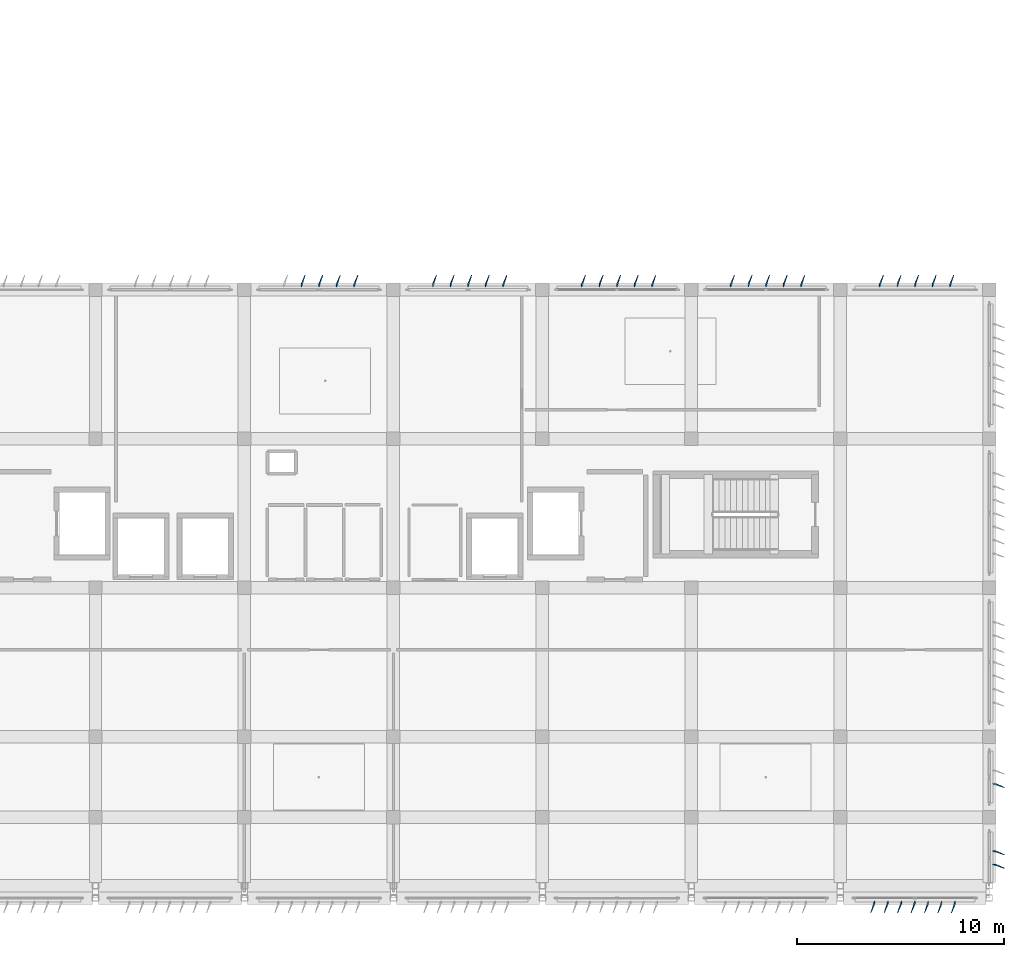
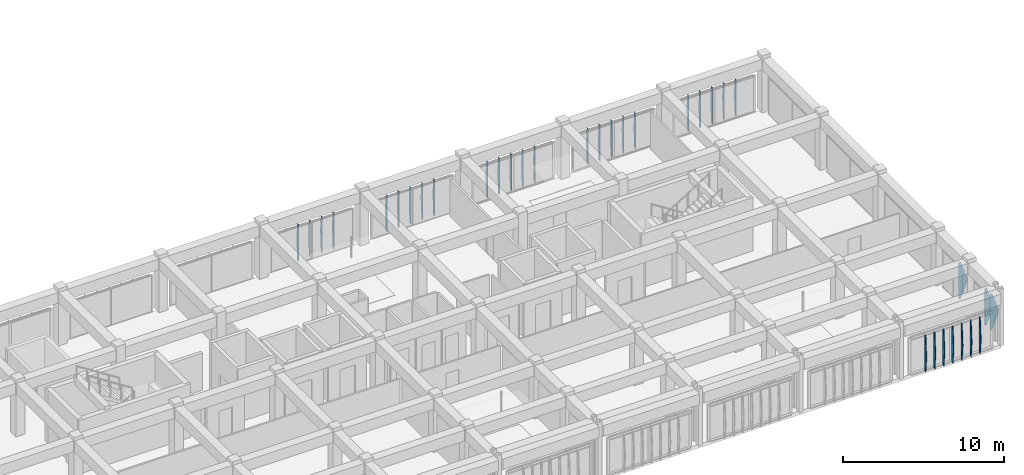
# One storey, part 50 of 53: 34 plates.
"""IFC4 building model written with IfcOpenShell, lengths in metres."""

from ifc_helpers import new_model, si_unit, direction, frame, origin, place, context, subcontext, project, spatial, polygons, material, layer, layer_set, type_object, element, save


model = new_model("IFC4")

# Units and contexts
model_context = context("Model", 3, precision=1e-05, world=origin(), true_north=direction((0.0, 1.0)))
body_context = subcontext(model_context, "Body", "Model", "MODEL_VIEW")
ifc_project = project(units=[si_unit("LENGTHUNIT", "METRE"), si_unit("AREAUNIT", "SQUARE_METRE"), si_unit("VOLUMEUNIT", "CUBIC_METRE"), si_unit("PLANEANGLEUNIT", "RADIAN"), si_unit("MASSUNIT", "GRAM", prefix="KILO")], contexts=[model_context])

# Site, building, storey
site_placement = place(None, origin())
site = spatial("IfcSite", under=ifc_project, at=site_placement, CompositionType="ELEMENT")
building_placement = place(site_placement, origin())
building = spatial("IfcBuilding", under=site, at=building_placement, Name="Kazehaya Institute of Natural Sciences", CompositionType="ELEMENT")
storey_placement = place(building_placement, frame((0.0, 0.0, 33.300048828125)))
storey = spatial("IfcBuildingStorey", under=building, at=storey_placement, Name="L07", CompositionType="ELEMENT", Elevation=33.300048828125)

# Plates
ifc_material = material(Name="Bronze-anodised aluminium alloy A6063S-T5", Category="aluminium")
ifc_layer_1 = layer(ifc_material, 0.02001953125, Name="Bronze-anodised aluminium alloy A6063S-T5", Category="aluminium")
ifc_layer_set_1 = layer_set([ifc_layer_1], Name="Bronze-anodised aluminium alloy A6063S-T5")
plate_type_1 = type_object("IfcPlateType", Name="FIN-DF-E1", PredefinedType="USERDEFINED", material=ifc_layer_set_1)
plate_1_placement = place(storey_placement, origin())
element("IfcPlate", 1, at=plate_1_placement, inside=storey, type_object=plate_type_1, Name="L07 folded diamond-pyramid shading fin FIN-L07-E-0654", ObjectType="SHADING_FIN", PredefinedType="USERDEFINED", context=body_context, shape_type="Tessellation", body=[
    polygons([(119.554931640625, 8.485107421875, 0.0400390625), (119.699951171875, 8.485107421875, 0.0400390625), (120.110107421875, 8.306396484375, 1.409912109375), (119.699951171875, 8.485107421875, 2.780029296875), (119.554931640625, 8.485107421875, 2.780029296875), (119.554931640625, 8.465087890625, 0.0400390625), (119.699951171875, 8.465087890625, 0.0400390625), (120.110107421875, 8.286376953125, 1.409912109375), (119.699951171875, 8.465087890625, 2.780029296875), (119.554931640625, 8.465087890625, 2.780029296875)], [[[1, 5, 4, 3, 2]], [[6, 7, 8, 9, 10]], [[1, 2, 7, 6]], [[2, 3, 8, 7]], [[3, 4, 9, 8]], [[4, 5, 10, 9]], [[5, 1, 6, 10]]], closed=True),
])
plate_2_placement = place(storey_placement, origin())
element("IfcPlate", 2, at=plate_2_placement, inside=storey, type_object=plate_type_1, Name="L07 folded diamond-pyramid shading fin FIN-L07-E-0655", ObjectType="SHADING_FIN", PredefinedType="USERDEFINED", context=body_context, shape_type="Tessellation", body=[
    polygons([(119.554931640625, 7.8349609375, 0.0400390625), (119.699951171875, 7.8349609375, 0.0400390625), (120.110107421875, 7.65625, 1.409912109375), (119.699951171875, 7.8349609375, 2.780029296875), (119.554931640625, 7.8349609375, 2.780029296875), (119.554931640625, 7.81494140625, 0.0400390625), (119.699951171875, 7.81494140625, 0.0400390625), (120.110107421875, 7.63623046875, 1.409912109375), (119.699951171875, 7.81494140625, 2.780029296875), (119.554931640625, 7.81494140625, 2.780029296875)], [[[1, 5, 4, 3, 2]], [[6, 7, 8, 9, 10]], [[1, 2, 7, 6]], [[2, 3, 8, 7]], [[3, 4, 9, 8]], [[4, 5, 10, 9]], [[5, 1, 6, 10]]], closed=True),
])
plate_3_placement = place(storey_placement, origin())
element("IfcPlate", 3, at=plate_3_placement, inside=storey, type_object=plate_type_1, Name="L07 folded diamond-pyramid shading fin FIN-L07-E-0659", ObjectType="SHADING_FIN", PredefinedType="USERDEFINED", context=body_context, shape_type="Tessellation", body=[
    polygons([(119.554931640625, 11.735107421875, 0.0400390625), (119.699951171875, 11.735107421875, 0.0400390625), (120.110107421875, 11.556396484375, 1.409912109375), (119.699951171875, 11.735107421875, 2.780029296875), (119.554931640625, 11.735107421875, 2.780029296875), (119.554931640625, 11.715087890625, 0.0400390625), (119.699951171875, 11.715087890625, 0.0400390625), (120.110107421875, 11.536376953125, 1.409912109375), (119.699951171875, 11.715087890625, 2.780029296875), (119.554931640625, 11.715087890625, 2.780029296875)], [[[1, 5, 4, 3, 2]], [[6, 7, 8, 9, 10]], [[1, 2, 7, 6]], [[2, 3, 8, 7]], [[3, 4, 9, 8]], [[4, 5, 10, 9]], [[5, 1, 6, 10]]], closed=True),
])
ifc_layer_2 = layer(ifc_material, 0.02001953125, Name="Bronze-anodised aluminium alloy A6063S-T5", Category="aluminium")
ifc_layer_set_2 = layer_set([ifc_layer_2], Name="Bronze-anodised aluminium alloy A6063S-T5")
plate_type_2 = type_object("IfcPlateType", Name="FIN-DF-N1", PredefinedType="USERDEFINED", material=ifc_layer_set_2)
plate_4_placement = place(storey_placement, origin())
element("IfcPlate", 4, at=plate_4_placement, inside=storey, type_object=plate_type_2, Name="L07 folded diamond-pyramid shading fin FIN-L07-N-0628", ObjectType="SHADING_FIN", PredefinedType="USERDEFINED", context=body_context, shape_type="Tessellation", body=[
    polygons([(86.139892578125, 35.7548828125, 0.0400390625), (86.139892578125, 35.89990234375, 0.0400390625), (86.318603515625, 36.31005859375, 1.409912109375), (86.139892578125, 35.89990234375, 2.780029296875), (86.139892578125, 35.7548828125, 2.780029296875), (86.159912109375, 35.7548828125, 0.0400390625), (86.159912109375, 35.89990234375, 0.0400390625), (86.338623046875, 36.31005859375, 1.409912109375), (86.159912109375, 35.89990234375, 2.780029296875), (86.159912109375, 35.7548828125, 2.780029296875)], [[[1, 5, 4, 3, 2]], [[6, 7, 8, 9, 10]], [[1, 2, 7, 6]], [[2, 3, 8, 7]], [[3, 4, 9, 8]], [[4, 5, 10, 9]], [[5, 1, 6, 10]]], closed=True),
])
plate_5_placement = place(storey_placement, origin())
element("IfcPlate", 5, at=plate_5_placement, inside=storey, type_object=plate_type_2, Name="L07 folded diamond-pyramid shading fin FIN-L07-N-0629", ObjectType="SHADING_FIN", PredefinedType="USERDEFINED", context=body_context, shape_type="Tessellation", body=[
    polygons([(86.989990234375, 35.7548828125, 0.0400390625), (86.989990234375, 35.89990234375, 0.0400390625), (87.168701171875, 36.31005859375, 1.409912109375), (86.989990234375, 35.89990234375, 2.780029296875), (86.989990234375, 35.7548828125, 2.780029296875), (87.010009765625, 35.7548828125, 0.0400390625), (87.010009765625, 35.89990234375, 0.0400390625), (87.188720703125, 36.31005859375, 1.409912109375), (87.010009765625, 35.89990234375, 2.780029296875), (87.010009765625, 35.7548828125, 2.780029296875)], [[[1, 5, 4, 3, 2]], [[6, 7, 8, 9, 10]], [[1, 2, 7, 6]], [[2, 3, 8, 7]], [[3, 4, 9, 8]], [[4, 5, 10, 9]], [[5, 1, 6, 10]]], closed=True),
])
plate_6_placement = place(storey_placement, origin())
element("IfcPlate", 6, at=plate_6_placement, inside=storey, type_object=plate_type_2, Name="L07 folded diamond-pyramid shading fin FIN-L07-N-0630", ObjectType="SHADING_FIN", PredefinedType="USERDEFINED", context=body_context, shape_type="Tessellation", body=[
    polygons([(87.840087890625, 35.7548828125, 0.0400390625), (87.840087890625, 35.89990234375, 0.0400390625), (88.018798828125, 36.31005859375, 1.409912109375), (87.840087890625, 35.89990234375, 2.780029296875), (87.840087890625, 35.7548828125, 2.780029296875), (87.860107421875, 35.7548828125, 0.0400390625), (87.860107421875, 35.89990234375, 0.0400390625), (88.038818359375, 36.31005859375, 1.409912109375), (87.860107421875, 35.89990234375, 2.780029296875), (87.860107421875, 35.7548828125, 2.780029296875)], [[[1, 5, 4, 3, 2]], [[6, 7, 8, 9, 10]], [[1, 2, 7, 6]], [[2, 3, 8, 7]], [[3, 4, 9, 8]], [[4, 5, 10, 9]], [[5, 1, 6, 10]]], closed=True),
])
plate_7_placement = place(storey_placement, origin())
element("IfcPlate", 7, at=plate_7_placement, inside=storey, type_object=plate_type_2, Name="L07 folded diamond-pyramid shading fin FIN-L07-N-0631", ObjectType="SHADING_FIN", PredefinedType="USERDEFINED", context=body_context, shape_type="Tessellation", body=[
    polygons([(88.68994140625, 35.7548828125, 0.0400390625), (88.68994140625, 35.89990234375, 0.0400390625), (88.86865234375, 36.31005859375, 1.409912109375), (88.68994140625, 35.89990234375, 2.780029296875), (88.68994140625, 35.7548828125, 2.780029296875), (88.7099609375, 35.7548828125, 0.0400390625), (88.7099609375, 35.89990234375, 0.0400390625), (88.888671875, 36.31005859375, 1.409912109375), (88.7099609375, 35.89990234375, 2.780029296875), (88.7099609375, 35.7548828125, 2.780029296875)], [[[1, 5, 4, 3, 2]], [[6, 7, 8, 9, 10]], [[1, 2, 7, 6]], [[2, 3, 8, 7]], [[3, 4, 9, 8]], [[4, 5, 10, 9]], [[5, 1, 6, 10]]], closed=True),
])
plate_8_placement = place(storey_placement, origin())
element("IfcPlate", 8, at=plate_8_placement, inside=storey, type_object=plate_type_2, Name="L07 folded diamond-pyramid shading fin FIN-L07-N-0632", ObjectType="SHADING_FIN", PredefinedType="USERDEFINED", context=body_context, shape_type="Tessellation", body=[
    polygons([(92.489990234375, 35.7548828125, 0.0400390625), (92.489990234375, 35.89990234375, 0.0400390625), (92.668701171875, 36.31005859375, 1.409912109375), (92.489990234375, 35.89990234375, 2.780029296875), (92.489990234375, 35.7548828125, 2.780029296875), (92.510009765625, 35.7548828125, 0.0400390625), (92.510009765625, 35.89990234375, 0.0400390625), (92.688720703125, 36.31005859375, 1.409912109375), (92.510009765625, 35.89990234375, 2.780029296875), (92.510009765625, 35.7548828125, 2.780029296875)], [[[1, 5, 4, 3, 2]], [[6, 7, 8, 9, 10]], [[1, 2, 7, 6]], [[2, 3, 8, 7]], [[3, 4, 9, 8]], [[4, 5, 10, 9]], [[5, 1, 6, 10]]], closed=True),
])
plate_9_placement = place(storey_placement, origin())
element("IfcPlate", 9, at=plate_9_placement, inside=storey, type_object=plate_type_2, Name="L07 folded diamond-pyramid shading fin FIN-L07-N-0633", ObjectType="SHADING_FIN", PredefinedType="USERDEFINED", context=body_context, shape_type="Tessellation", body=[
    polygons([(93.340087890625, 35.7548828125, 0.0400390625), (93.340087890625, 35.89990234375, 0.0400390625), (93.518798828125, 36.31005859375, 1.409912109375), (93.340087890625, 35.89990234375, 2.780029296875), (93.340087890625, 35.7548828125, 2.780029296875), (93.360107421875, 35.7548828125, 0.0400390625), (93.360107421875, 35.89990234375, 0.0400390625), (93.538818359375, 36.31005859375, 1.409912109375), (93.360107421875, 35.89990234375, 2.780029296875), (93.360107421875, 35.7548828125, 2.780029296875)], [[[1, 5, 4, 3, 2]], [[6, 7, 8, 9, 10]], [[1, 2, 7, 6]], [[2, 3, 8, 7]], [[3, 4, 9, 8]], [[4, 5, 10, 9]], [[5, 1, 6, 10]]], closed=True),
])
plate_10_placement = place(storey_placement, origin())
element("IfcPlate", 10, at=plate_10_placement, inside=storey, type_object=plate_type_2, Name="L07 folded diamond-pyramid shading fin FIN-L07-N-0634", ObjectType="SHADING_FIN", PredefinedType="USERDEFINED", context=body_context, shape_type="Tessellation", body=[
    polygons([(94.18994140625, 35.7548828125, 0.0400390625), (94.18994140625, 35.89990234375, 0.0400390625), (94.36865234375, 36.31005859375, 1.409912109375), (94.18994140625, 35.89990234375, 2.780029296875), (94.18994140625, 35.7548828125, 2.780029296875), (94.2099609375, 35.7548828125, 0.0400390625), (94.2099609375, 35.89990234375, 0.0400390625), (94.388671875, 36.31005859375, 1.409912109375), (94.2099609375, 35.89990234375, 2.780029296875), (94.2099609375, 35.7548828125, 2.780029296875)], [[[1, 5, 4, 3, 2]], [[6, 7, 8, 9, 10]], [[1, 2, 7, 6]], [[2, 3, 8, 7]], [[3, 4, 9, 8]], [[4, 5, 10, 9]], [[5, 1, 6, 10]]], closed=True),
])
plate_11_placement = place(storey_placement, origin())
element("IfcPlate", 11, at=plate_11_placement, inside=storey, type_object=plate_type_2, Name="L07 folded diamond-pyramid shading fin FIN-L07-N-0635", ObjectType="SHADING_FIN", PredefinedType="USERDEFINED", context=body_context, shape_type="Tessellation", body=[
    polygons([(95.0400390625, 35.7548828125, 0.0400390625), (95.0400390625, 35.89990234375, 0.0400390625), (95.21875, 36.31005859375, 1.409912109375), (95.0400390625, 35.89990234375, 2.780029296875), (95.0400390625, 35.7548828125, 2.780029296875), (95.06005859375, 35.7548828125, 0.0400390625), (95.06005859375, 35.89990234375, 0.0400390625), (95.23876953125, 36.31005859375, 1.409912109375), (95.06005859375, 35.89990234375, 2.780029296875), (95.06005859375, 35.7548828125, 2.780029296875)], [[[1, 5, 4, 3, 2]], [[6, 7, 8, 9, 10]], [[1, 2, 7, 6]], [[2, 3, 8, 7]], [[3, 4, 9, 8]], [[4, 5, 10, 9]], [[5, 1, 6, 10]]], closed=True),
])
plate_12_placement = place(storey_placement, origin())
element("IfcPlate", 12, at=plate_12_placement, inside=storey, type_object=plate_type_2, Name="L07 folded diamond-pyramid shading fin FIN-L07-N-0636", ObjectType="SHADING_FIN", PredefinedType="USERDEFINED", context=body_context, shape_type="Tessellation", body=[
    polygons([(95.889892578125, 35.7548828125, 0.0400390625), (95.889892578125, 35.89990234375, 0.0400390625), (96.068603515625, 36.31005859375, 1.409912109375), (95.889892578125, 35.89990234375, 2.780029296875), (95.889892578125, 35.7548828125, 2.780029296875), (95.909912109375, 35.7548828125, 0.0400390625), (95.909912109375, 35.89990234375, 0.0400390625), (96.088623046875, 36.31005859375, 1.409912109375), (95.909912109375, 35.89990234375, 2.780029296875), (95.909912109375, 35.7548828125, 2.780029296875)], [[[1, 5, 4, 3, 2]], [[6, 7, 8, 9, 10]], [[1, 2, 7, 6]], [[2, 3, 8, 7]], [[3, 4, 9, 8]], [[4, 5, 10, 9]], [[5, 1, 6, 10]]], closed=True),
])
plate_13_placement = place(storey_placement, origin())
element("IfcPlate", 13, at=plate_13_placement, inside=storey, type_object=plate_type_2, Name="L07 folded diamond-pyramid shading fin FIN-L07-N-0637", ObjectType="SHADING_FIN", PredefinedType="USERDEFINED", context=body_context, shape_type="Tessellation", body=[
    polygons([(99.68994140625, 35.7548828125, 0.0400390625), (99.68994140625, 35.89990234375, 0.0400390625), (99.86865234375, 36.31005859375, 1.409912109375), (99.68994140625, 35.89990234375, 2.780029296875), (99.68994140625, 35.7548828125, 2.780029296875), (99.7099609375, 35.7548828125, 0.0400390625), (99.7099609375, 35.89990234375, 0.0400390625), (99.888671875, 36.31005859375, 1.409912109375), (99.7099609375, 35.89990234375, 2.780029296875), (99.7099609375, 35.7548828125, 2.780029296875)], [[[1, 5, 4, 3, 2]], [[6, 7, 8, 9, 10]], [[1, 2, 7, 6]], [[2, 3, 8, 7]], [[3, 4, 9, 8]], [[4, 5, 10, 9]], [[5, 1, 6, 10]]], closed=True),
])
plate_14_placement = place(storey_placement, origin())
element("IfcPlate", 14, at=plate_14_placement, inside=storey, type_object=plate_type_2, Name="L07 folded diamond-pyramid shading fin FIN-L07-N-0638", ObjectType="SHADING_FIN", PredefinedType="USERDEFINED", context=body_context, shape_type="Tessellation", body=[
    polygons([(100.5400390625, 35.7548828125, 0.0400390625), (100.5400390625, 35.89990234375, 0.0400390625), (100.71875, 36.31005859375, 1.409912109375), (100.5400390625, 35.89990234375, 2.780029296875), (100.5400390625, 35.7548828125, 2.780029296875), (100.56005859375, 35.7548828125, 0.0400390625), (100.56005859375, 35.89990234375, 0.0400390625), (100.73876953125, 36.31005859375, 1.409912109375), (100.56005859375, 35.89990234375, 2.780029296875), (100.56005859375, 35.7548828125, 2.780029296875)], [[[1, 5, 4, 3, 2]], [[6, 7, 8, 9, 10]], [[1, 2, 7, 6]], [[2, 3, 8, 7]], [[3, 4, 9, 8]], [[4, 5, 10, 9]], [[5, 1, 6, 10]]], closed=True),
])
plate_15_placement = place(storey_placement, origin())
element("IfcPlate", 15, at=plate_15_placement, inside=storey, type_object=plate_type_2, Name="L07 folded diamond-pyramid shading fin FIN-L07-N-0639", ObjectType="SHADING_FIN", PredefinedType="USERDEFINED", context=body_context, shape_type="Tessellation", body=[
    polygons([(101.389892578125, 35.7548828125, 0.0400390625), (101.389892578125, 35.89990234375, 0.0400390625), (101.568603515625, 36.31005859375, 1.409912109375), (101.389892578125, 35.89990234375, 2.780029296875), (101.389892578125, 35.7548828125, 2.780029296875), (101.409912109375, 35.7548828125, 0.0400390625), (101.409912109375, 35.89990234375, 0.0400390625), (101.588623046875, 36.31005859375, 1.409912109375), (101.409912109375, 35.89990234375, 2.780029296875), (101.409912109375, 35.7548828125, 2.780029296875)], [[[1, 5, 4, 3, 2]], [[6, 7, 8, 9, 10]], [[1, 2, 7, 6]], [[2, 3, 8, 7]], [[3, 4, 9, 8]], [[4, 5, 10, 9]], [[5, 1, 6, 10]]], closed=True),
])
plate_16_placement = place(storey_placement, origin())
element("IfcPlate", 16, at=plate_16_placement, inside=storey, type_object=plate_type_2, Name="L07 folded diamond-pyramid shading fin FIN-L07-N-0640", ObjectType="SHADING_FIN", PredefinedType="USERDEFINED", context=body_context, shape_type="Tessellation", body=[
    polygons([(102.239990234375, 35.7548828125, 0.0400390625), (102.239990234375, 35.89990234375, 0.0400390625), (102.418701171875, 36.31005859375, 1.409912109375), (102.239990234375, 35.89990234375, 2.780029296875), (102.239990234375, 35.7548828125, 2.780029296875), (102.260009765625, 35.7548828125, 0.0400390625), (102.260009765625, 35.89990234375, 0.0400390625), (102.438720703125, 36.31005859375, 1.409912109375), (102.260009765625, 35.89990234375, 2.780029296875), (102.260009765625, 35.7548828125, 2.780029296875)], [[[1, 5, 4, 3, 2]], [[6, 7, 8, 9, 10]], [[1, 2, 7, 6]], [[2, 3, 8, 7]], [[3, 4, 9, 8]], [[4, 5, 10, 9]], [[5, 1, 6, 10]]], closed=True),
])
plate_17_placement = place(storey_placement, origin())
element("IfcPlate", 17, at=plate_17_placement, inside=storey, type_object=plate_type_2, Name="L07 folded diamond-pyramid shading fin FIN-L07-N-0641", ObjectType="SHADING_FIN", PredefinedType="USERDEFINED", context=body_context, shape_type="Tessellation", body=[
    polygons([(103.090087890625, 35.7548828125, 0.0400390625), (103.090087890625, 35.89990234375, 0.0400390625), (103.268798828125, 36.31005859375, 1.409912109375), (103.090087890625, 35.89990234375, 2.780029296875), (103.090087890625, 35.7548828125, 2.780029296875), (103.110107421875, 35.7548828125, 0.0400390625), (103.110107421875, 35.89990234375, 0.0400390625), (103.288818359375, 36.31005859375, 1.409912109375), (103.110107421875, 35.89990234375, 2.780029296875), (103.110107421875, 35.7548828125, 2.780029296875)], [[[1, 5, 4, 3, 2]], [[6, 7, 8, 9, 10]], [[1, 2, 7, 6]], [[2, 3, 8, 7]], [[3, 4, 9, 8]], [[4, 5, 10, 9]], [[5, 1, 6, 10]]], closed=True),
])
plate_18_placement = place(storey_placement, origin())
element("IfcPlate", 18, at=plate_18_placement, inside=storey, type_object=plate_type_2, Name="L07 folded diamond-pyramid shading fin FIN-L07-N-0642", ObjectType="SHADING_FIN", PredefinedType="USERDEFINED", context=body_context, shape_type="Tessellation", body=[
    polygons([(106.889892578125, 35.7548828125, 0.0400390625), (106.889892578125, 35.89990234375, 0.0400390625), (107.068603515625, 36.31005859375, 1.409912109375), (106.889892578125, 35.89990234375, 2.780029296875), (106.889892578125, 35.7548828125, 2.780029296875), (106.909912109375, 35.7548828125, 0.0400390625), (106.909912109375, 35.89990234375, 0.0400390625), (107.088623046875, 36.31005859375, 1.409912109375), (106.909912109375, 35.89990234375, 2.780029296875), (106.909912109375, 35.7548828125, 2.780029296875)], [[[1, 5, 4, 3, 2]], [[6, 7, 8, 9, 10]], [[1, 2, 7, 6]], [[2, 3, 8, 7]], [[3, 4, 9, 8]], [[4, 5, 10, 9]], [[5, 1, 6, 10]]], closed=True),
])
plate_19_placement = place(storey_placement, origin())
element("IfcPlate", 19, at=plate_19_placement, inside=storey, type_object=plate_type_2, Name="L07 folded diamond-pyramid shading fin FIN-L07-N-0643", ObjectType="SHADING_FIN", PredefinedType="USERDEFINED", context=body_context, shape_type="Tessellation", body=[
    polygons([(107.739990234375, 35.7548828125, 0.0400390625), (107.739990234375, 35.89990234375, 0.0400390625), (107.918701171875, 36.31005859375, 1.409912109375), (107.739990234375, 35.89990234375, 2.780029296875), (107.739990234375, 35.7548828125, 2.780029296875), (107.760009765625, 35.7548828125, 0.0400390625), (107.760009765625, 35.89990234375, 0.0400390625), (107.938720703125, 36.31005859375, 1.409912109375), (107.760009765625, 35.89990234375, 2.780029296875), (107.760009765625, 35.7548828125, 2.780029296875)], [[[1, 5, 4, 3, 2]], [[6, 7, 8, 9, 10]], [[1, 2, 7, 6]], [[2, 3, 8, 7]], [[3, 4, 9, 8]], [[4, 5, 10, 9]], [[5, 1, 6, 10]]], closed=True),
])
plate_20_placement = place(storey_placement, origin())
element("IfcPlate", 20, at=plate_20_placement, inside=storey, type_object=plate_type_2, Name="L07 folded diamond-pyramid shading fin FIN-L07-N-0644", ObjectType="SHADING_FIN", PredefinedType="USERDEFINED", context=body_context, shape_type="Tessellation", body=[
    polygons([(108.590087890625, 35.7548828125, 0.0400390625), (108.590087890625, 35.89990234375, 0.0400390625), (108.768798828125, 36.31005859375, 1.409912109375), (108.590087890625, 35.89990234375, 2.780029296875), (108.590087890625, 35.7548828125, 2.780029296875), (108.610107421875, 35.7548828125, 0.0400390625), (108.610107421875, 35.89990234375, 0.0400390625), (108.788818359375, 36.31005859375, 1.409912109375), (108.610107421875, 35.89990234375, 2.780029296875), (108.610107421875, 35.7548828125, 2.780029296875)], [[[1, 5, 4, 3, 2]], [[6, 7, 8, 9, 10]], [[1, 2, 7, 6]], [[2, 3, 8, 7]], [[3, 4, 9, 8]], [[4, 5, 10, 9]], [[5, 1, 6, 10]]], closed=True),
])
plate_21_placement = place(storey_placement, origin())
element("IfcPlate", 21, at=plate_21_placement, inside=storey, type_object=plate_type_2, Name="L07 folded diamond-pyramid shading fin FIN-L07-N-0645", ObjectType="SHADING_FIN", PredefinedType="USERDEFINED", context=body_context, shape_type="Tessellation", body=[
    polygons([(109.43994140625, 35.7548828125, 0.0400390625), (109.43994140625, 35.89990234375, 0.0400390625), (109.61865234375, 36.31005859375, 1.409912109375), (109.43994140625, 35.89990234375, 2.780029296875), (109.43994140625, 35.7548828125, 2.780029296875), (109.4599609375, 35.7548828125, 0.0400390625), (109.4599609375, 35.89990234375, 0.0400390625), (109.638671875, 36.31005859375, 1.409912109375), (109.4599609375, 35.89990234375, 2.780029296875), (109.4599609375, 35.7548828125, 2.780029296875)], [[[1, 5, 4, 3, 2]], [[6, 7, 8, 9, 10]], [[1, 2, 7, 6]], [[2, 3, 8, 7]], [[3, 4, 9, 8]], [[4, 5, 10, 9]], [[5, 1, 6, 10]]], closed=True),
])
plate_22_placement = place(storey_placement, origin())
element("IfcPlate", 22, at=plate_22_placement, inside=storey, type_object=plate_type_2, Name="L07 folded diamond-pyramid shading fin FIN-L07-N-0646", ObjectType="SHADING_FIN", PredefinedType="USERDEFINED", context=body_context, shape_type="Tessellation", body=[
    polygons([(110.2900390625, 35.7548828125, 0.0400390625), (110.2900390625, 35.89990234375, 0.0400390625), (110.46875, 36.31005859375, 1.409912109375), (110.2900390625, 35.89990234375, 2.780029296875), (110.2900390625, 35.7548828125, 2.780029296875), (110.31005859375, 35.7548828125, 0.0400390625), (110.31005859375, 35.89990234375, 0.0400390625), (110.48876953125, 36.31005859375, 1.409912109375), (110.31005859375, 35.89990234375, 2.780029296875), (110.31005859375, 35.7548828125, 2.780029296875)], [[[1, 5, 4, 3, 2]], [[6, 7, 8, 9, 10]], [[1, 2, 7, 6]], [[2, 3, 8, 7]], [[3, 4, 9, 8]], [[4, 5, 10, 9]], [[5, 1, 6, 10]]], closed=True),
])
plate_23_placement = place(storey_placement, origin())
element("IfcPlate", 23, at=plate_23_placement, inside=storey, type_object=plate_type_2, Name="L07 folded diamond-pyramid shading fin FIN-L07-N-0647", ObjectType="SHADING_FIN", PredefinedType="USERDEFINED", context=body_context, shape_type="Tessellation", body=[
    polygons([(114.090087890625, 35.7548828125, 0.0400390625), (114.090087890625, 35.89990234375, 0.0400390625), (114.268798828125, 36.31005859375, 1.409912109375), (114.090087890625, 35.89990234375, 2.780029296875), (114.090087890625, 35.7548828125, 2.780029296875), (114.110107421875, 35.7548828125, 0.0400390625), (114.110107421875, 35.89990234375, 0.0400390625), (114.288818359375, 36.31005859375, 1.409912109375), (114.110107421875, 35.89990234375, 2.780029296875), (114.110107421875, 35.7548828125, 2.780029296875)], [[[1, 5, 4, 3, 2]], [[6, 7, 8, 9, 10]], [[1, 2, 7, 6]], [[2, 3, 8, 7]], [[3, 4, 9, 8]], [[4, 5, 10, 9]], [[5, 1, 6, 10]]], closed=True),
])
plate_24_placement = place(storey_placement, origin())
element("IfcPlate", 24, at=plate_24_placement, inside=storey, type_object=plate_type_2, Name="L07 folded diamond-pyramid shading fin FIN-L07-N-0648", ObjectType="SHADING_FIN", PredefinedType="USERDEFINED", context=body_context, shape_type="Tessellation", body=[
    polygons([(114.93994140625, 35.7548828125, 0.0400390625), (114.93994140625, 35.89990234375, 0.0400390625), (115.11865234375, 36.31005859375, 1.409912109375), (114.93994140625, 35.89990234375, 2.780029296875), (114.93994140625, 35.7548828125, 2.780029296875), (114.9599609375, 35.7548828125, 0.0400390625), (114.9599609375, 35.89990234375, 0.0400390625), (115.138671875, 36.31005859375, 1.409912109375), (114.9599609375, 35.89990234375, 2.780029296875), (114.9599609375, 35.7548828125, 2.780029296875)], [[[1, 5, 4, 3, 2]], [[6, 7, 8, 9, 10]], [[1, 2, 7, 6]], [[2, 3, 8, 7]], [[3, 4, 9, 8]], [[4, 5, 10, 9]], [[5, 1, 6, 10]]], closed=True),
])
plate_25_placement = place(storey_placement, origin())
element("IfcPlate", 25, at=plate_25_placement, inside=storey, type_object=plate_type_2, Name="L07 folded diamond-pyramid shading fin FIN-L07-N-0649", ObjectType="SHADING_FIN", PredefinedType="USERDEFINED", context=body_context, shape_type="Tessellation", body=[
    polygons([(115.7900390625, 35.7548828125, 0.0400390625), (115.7900390625, 35.89990234375, 0.0400390625), (115.96875, 36.31005859375, 1.409912109375), (115.7900390625, 35.89990234375, 2.780029296875), (115.7900390625, 35.7548828125, 2.780029296875), (115.81005859375, 35.7548828125, 0.0400390625), (115.81005859375, 35.89990234375, 0.0400390625), (115.98876953125, 36.31005859375, 1.409912109375), (115.81005859375, 35.89990234375, 2.780029296875), (115.81005859375, 35.7548828125, 2.780029296875)], [[[1, 5, 4, 3, 2]], [[6, 7, 8, 9, 10]], [[1, 2, 7, 6]], [[2, 3, 8, 7]], [[3, 4, 9, 8]], [[4, 5, 10, 9]], [[5, 1, 6, 10]]], closed=True),
])
plate_26_placement = place(storey_placement, origin())
element("IfcPlate", 26, at=plate_26_placement, inside=storey, type_object=plate_type_2, Name="L07 folded diamond-pyramid shading fin FIN-L07-N-0650", ObjectType="SHADING_FIN", PredefinedType="USERDEFINED", context=body_context, shape_type="Tessellation", body=[
    polygons([(116.639892578125, 35.7548828125, 0.0400390625), (116.639892578125, 35.89990234375, 0.0400390625), (116.818603515625, 36.31005859375, 1.409912109375), (116.639892578125, 35.89990234375, 2.780029296875), (116.639892578125, 35.7548828125, 2.780029296875), (116.659912109375, 35.7548828125, 0.0400390625), (116.659912109375, 35.89990234375, 0.0400390625), (116.838623046875, 36.31005859375, 1.409912109375), (116.659912109375, 35.89990234375, 2.780029296875), (116.659912109375, 35.7548828125, 2.780029296875)], [[[1, 5, 4, 3, 2]], [[6, 7, 8, 9, 10]], [[1, 2, 7, 6]], [[2, 3, 8, 7]], [[3, 4, 9, 8]], [[4, 5, 10, 9]], [[5, 1, 6, 10]]], closed=True),
])
plate_27_placement = place(storey_placement, origin())
element("IfcPlate", 27, at=plate_27_placement, inside=storey, type_object=plate_type_2, Name="L07 folded diamond-pyramid shading fin FIN-L07-N-0651", ObjectType="SHADING_FIN", PredefinedType="USERDEFINED", context=body_context, shape_type="Tessellation", body=[
    polygons([(117.489990234375, 35.7548828125, 0.0400390625), (117.489990234375, 35.89990234375, 0.0400390625), (117.668701171875, 36.31005859375, 1.409912109375), (117.489990234375, 35.89990234375, 2.780029296875), (117.489990234375, 35.7548828125, 2.780029296875), (117.510009765625, 35.7548828125, 0.0400390625), (117.510009765625, 35.89990234375, 0.0400390625), (117.688720703125, 36.31005859375, 1.409912109375), (117.510009765625, 35.89990234375, 2.780029296875), (117.510009765625, 35.7548828125, 2.780029296875)], [[[1, 5, 4, 3, 2]], [[6, 7, 8, 9, 10]], [[1, 2, 7, 6]], [[2, 3, 8, 7]], [[3, 4, 9, 8]], [[4, 5, 10, 9]], [[5, 1, 6, 10]]], closed=True),
])
ifc_layer_3 = layer(ifc_material, 0.02001953125, Name="Bronze-anodised aluminium alloy A6063S-T5", Category="aluminium")
ifc_layer_set_3 = layer_set([ifc_layer_3], Name="Bronze-anodised aluminium alloy A6063S-T5")
plate_type_3 = type_object("IfcPlateType", Name="FIN-DF-S1", PredefinedType="USERDEFINED", material=ifc_layer_set_3)
plate_28_placement = place(storey_placement, origin())
element("IfcPlate", 28, at=plate_28_placement, inside=storey, type_object=plate_type_3, Name="L07 folded diamond-pyramid shading fin FIN-L07-S-0544", ObjectType="SHADING_FIN", PredefinedType="USERDEFINED", context=body_context, shape_type="Tessellation", body=[
    polygons([(117.760009765625, 6.044921875, 0.0400390625), (117.760009765625, 5.89990234375, 0.0400390625), (117.581298828125, 5.489990234375, 1.409912109375), (117.760009765625, 5.89990234375, 2.780029296875), (117.760009765625, 6.044921875, 2.780029296875), (117.739990234375, 6.044921875, 0.0400390625), (117.739990234375, 5.89990234375, 0.0400390625), (117.561279296875, 5.489990234375, 1.409912109375), (117.739990234375, 5.89990234375, 2.780029296875), (117.739990234375, 6.044921875, 2.780029296875)], [[[1, 5, 4, 3, 2]], [[6, 7, 8, 9, 10]], [[1, 2, 7, 6]], [[2, 3, 8, 7]], [[3, 4, 9, 8]], [[4, 5, 10, 9]], [[5, 1, 6, 10]]], closed=True),
])
plate_29_placement = place(storey_placement, origin())
element("IfcPlate", 29, at=plate_29_placement, inside=storey, type_object=plate_type_3, Name="L07 folded diamond-pyramid shading fin FIN-L07-S-0545", ObjectType="SHADING_FIN", PredefinedType="USERDEFINED", context=body_context, shape_type="Tessellation", body=[
    polygons([(117.110107421875, 6.044921875, 0.0400390625), (117.110107421875, 5.89990234375, 0.0400390625), (116.931396484375, 5.489990234375, 1.409912109375), (117.110107421875, 5.89990234375, 2.780029296875), (117.110107421875, 6.044921875, 2.780029296875), (117.090087890625, 6.044921875, 0.0400390625), (117.090087890625, 5.89990234375, 0.0400390625), (116.911376953125, 5.489990234375, 1.409912109375), (117.090087890625, 5.89990234375, 2.780029296875), (117.090087890625, 6.044921875, 2.780029296875)], [[[1, 5, 4, 3, 2]], [[6, 7, 8, 9, 10]], [[1, 2, 7, 6]], [[2, 3, 8, 7]], [[3, 4, 9, 8]], [[4, 5, 10, 9]], [[5, 1, 6, 10]]], closed=True),
])
plate_30_placement = place(storey_placement, origin())
element("IfcPlate", 30, at=plate_30_placement, inside=storey, type_object=plate_type_3, Name="L07 folded diamond-pyramid shading fin FIN-L07-S-0546", ObjectType="SHADING_FIN", PredefinedType="USERDEFINED", context=body_context, shape_type="Tessellation", body=[
    polygons([(116.4599609375, 6.044921875, 0.0400390625), (116.4599609375, 5.89990234375, 0.0400390625), (116.28125, 5.489990234375, 1.409912109375), (116.4599609375, 5.89990234375, 2.780029296875), (116.4599609375, 6.044921875, 2.780029296875), (116.43994140625, 6.044921875, 0.0400390625), (116.43994140625, 5.89990234375, 0.0400390625), (116.26123046875, 5.489990234375, 1.409912109375), (116.43994140625, 5.89990234375, 2.780029296875), (116.43994140625, 6.044921875, 2.780029296875)], [[[1, 5, 4, 3, 2]], [[6, 7, 8, 9, 10]], [[1, 2, 7, 6]], [[2, 3, 8, 7]], [[3, 4, 9, 8]], [[4, 5, 10, 9]], [[5, 1, 6, 10]]], closed=True),
])
plate_31_placement = place(storey_placement, origin())
element("IfcPlate", 31, at=plate_31_placement, inside=storey, type_object=plate_type_3, Name="L07 folded diamond-pyramid shading fin FIN-L07-S-0547", ObjectType="SHADING_FIN", PredefinedType="USERDEFINED", context=body_context, shape_type="Tessellation", body=[
    polygons([(115.81005859375, 6.044921875, 0.0400390625), (115.81005859375, 5.89990234375, 0.0400390625), (115.63134765625, 5.489990234375, 1.409912109375), (115.81005859375, 5.89990234375, 2.780029296875), (115.81005859375, 6.044921875, 2.780029296875), (115.7900390625, 6.044921875, 0.0400390625), (115.7900390625, 5.89990234375, 0.0400390625), (115.611328125, 5.489990234375, 1.409912109375), (115.7900390625, 5.89990234375, 2.780029296875), (115.7900390625, 6.044921875, 2.780029296875)], [[[1, 5, 4, 3, 2]], [[6, 7, 8, 9, 10]], [[1, 2, 7, 6]], [[2, 3, 8, 7]], [[3, 4, 9, 8]], [[4, 5, 10, 9]], [[5, 1, 6, 10]]], closed=True),
])
plate_32_placement = place(storey_placement, origin())
element("IfcPlate", 32, at=plate_32_placement, inside=storey, type_object=plate_type_3, Name="L07 folded diamond-pyramid shading fin FIN-L07-S-0548", ObjectType="SHADING_FIN", PredefinedType="USERDEFINED", context=body_context, shape_type="Tessellation", body=[
    polygons([(115.159912109375, 6.044921875, 0.0400390625), (115.159912109375, 5.89990234375, 0.0400390625), (114.981201171875, 5.489990234375, 1.409912109375), (115.159912109375, 5.89990234375, 2.780029296875), (115.159912109375, 6.044921875, 2.780029296875), (115.139892578125, 6.044921875, 0.0400390625), (115.139892578125, 5.89990234375, 0.0400390625), (114.961181640625, 5.489990234375, 1.409912109375), (115.139892578125, 5.89990234375, 2.780029296875), (115.139892578125, 6.044921875, 2.780029296875)], [[[1, 5, 4, 3, 2]], [[6, 7, 8, 9, 10]], [[1, 2, 7, 6]], [[2, 3, 8, 7]], [[3, 4, 9, 8]], [[4, 5, 10, 9]], [[5, 1, 6, 10]]], closed=True),
])
plate_33_placement = place(storey_placement, origin())
element("IfcPlate", 33, at=plate_33_placement, inside=storey, type_object=plate_type_3, Name="L07 folded diamond-pyramid shading fin FIN-L07-S-0549", ObjectType="SHADING_FIN", PredefinedType="USERDEFINED", context=body_context, shape_type="Tessellation", body=[
    polygons([(114.510009765625, 6.044921875, 0.0400390625), (114.510009765625, 5.89990234375, 0.0400390625), (114.331298828125, 5.489990234375, 1.409912109375), (114.510009765625, 5.89990234375, 2.780029296875), (114.510009765625, 6.044921875, 2.780029296875), (114.489990234375, 6.044921875, 0.0400390625), (114.489990234375, 5.89990234375, 0.0400390625), (114.311279296875, 5.489990234375, 1.409912109375), (114.489990234375, 5.89990234375, 2.780029296875), (114.489990234375, 6.044921875, 2.780029296875)], [[[1, 5, 4, 3, 2]], [[6, 7, 8, 9, 10]], [[1, 2, 7, 6]], [[2, 3, 8, 7]], [[3, 4, 9, 8]], [[4, 5, 10, 9]], [[5, 1, 6, 10]]], closed=True),
])
plate_34_placement = place(storey_placement, origin())
element("IfcPlate", 34, at=plate_34_placement, inside=storey, type_object=plate_type_3, Name="L07 folded diamond-pyramid shading fin FIN-L07-S-0550", ObjectType="SHADING_FIN", PredefinedType="USERDEFINED", context=body_context, shape_type="Tessellation", body=[
    polygons([(113.860107421875, 6.044921875, 0.0400390625), (113.860107421875, 5.89990234375, 0.0400390625), (113.681396484375, 5.489990234375, 1.409912109375), (113.860107421875, 5.89990234375, 2.780029296875), (113.860107421875, 6.044921875, 2.780029296875), (113.840087890625, 6.044921875, 0.0400390625), (113.840087890625, 5.89990234375, 0.0400390625), (113.661376953125, 5.489990234375, 1.409912109375), (113.840087890625, 5.89990234375, 2.780029296875), (113.840087890625, 6.044921875, 2.780029296875)], [[[1, 5, 4, 3, 2]], [[6, 7, 8, 9, 10]], [[1, 2, 7, 6]], [[2, 3, 8, 7]], [[3, 4, 9, 8]], [[4, 5, 10, 9]], [[5, 1, 6, 10]]], closed=True),
])

save(model, "model.ifc")
